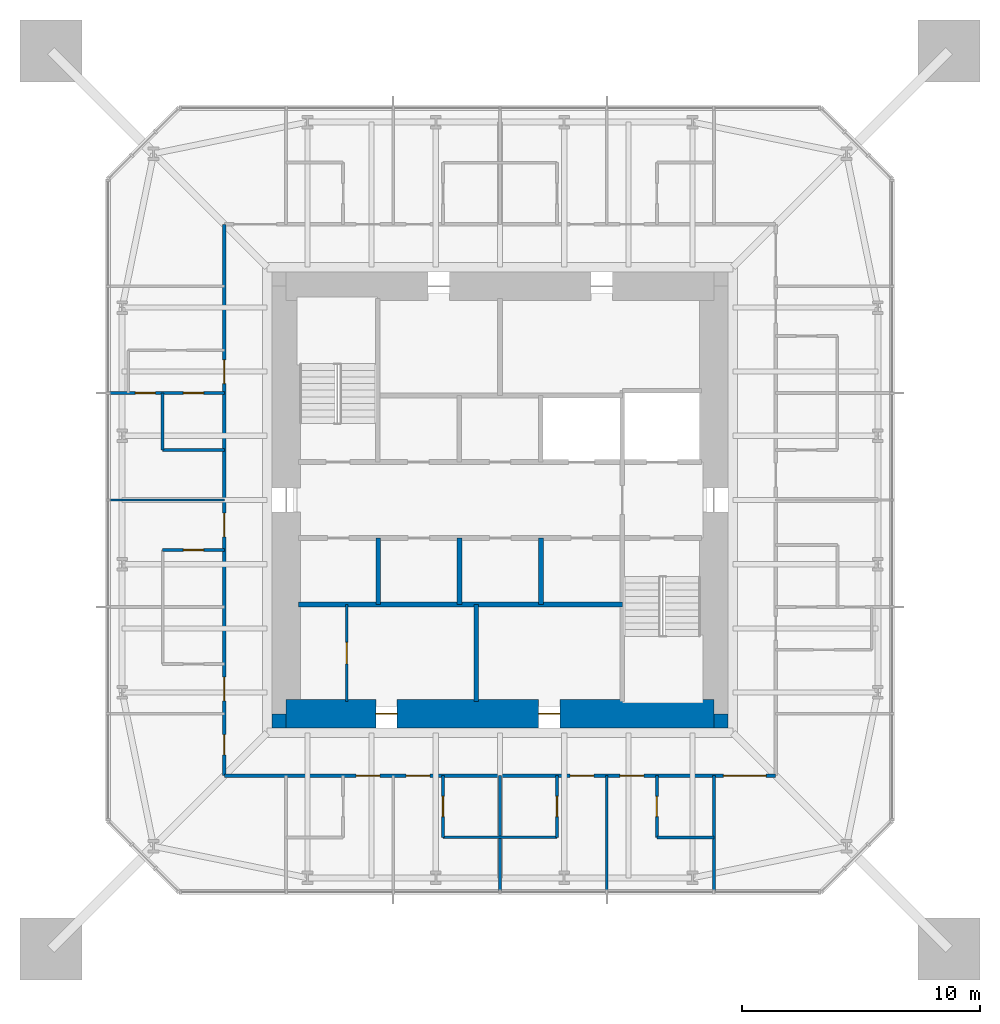
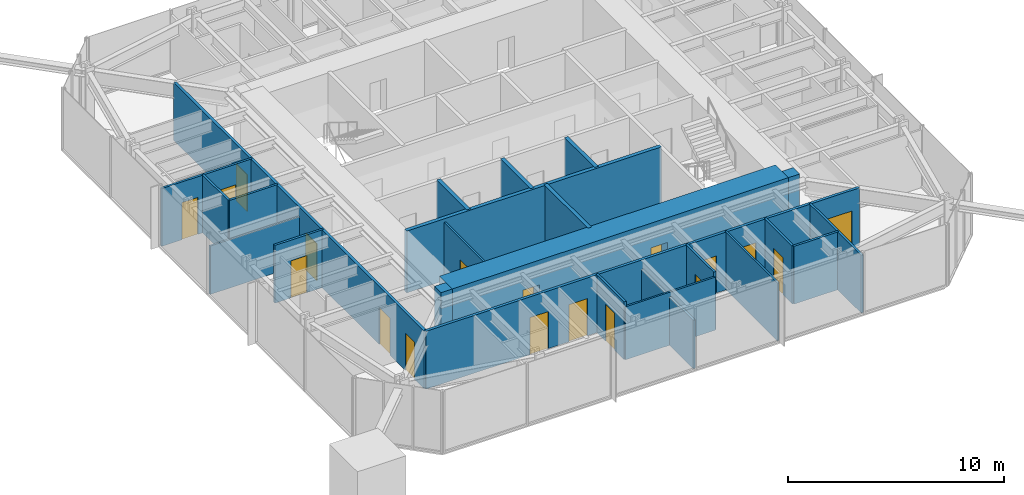
# One storey, part 6 of 10: 24 walls, 18 doors, 18 openings.
"""IFC4 building model written with IfcOpenShell, lengths in metres."""

from ifc_helpers import new_model, si_unit, direction, frame, frame_2d, origin, place, context, subcontext, project, spatial, rectangle, extrude, material, layer, layer_set, type_object, element, fill, save


model = new_model("IFC4")

# Units and contexts
model_context = context("Model", 3, precision=1e-05, world=origin(), true_north=direction((0.0, 1.0)))
body_context = subcontext(model_context, "Body", "Model", "MODEL_VIEW")
ifc_project = project(units=[si_unit("LENGTHUNIT", "METRE"), si_unit("AREAUNIT", "SQUARE_METRE"), si_unit("VOLUMEUNIT", "CUBIC_METRE"), si_unit("PLANEANGLEUNIT", "RADIAN"), si_unit("MASSUNIT", "GRAM", prefix="KILO")], contexts=[model_context])

# Site, building, storey
site_placement = place(None, origin())
site = spatial("IfcSite", under=ifc_project, at=site_placement, CompositionType="ELEMENT")
building_placement = place(site_placement, origin())
building = spatial("IfcBuilding", under=site, at=building_placement, Name="Iwan Alto Co-Living Towers", CompositionType="ELEMENT")
storey_placement = place(building_placement, frame((0.0, 0.0, 225.5)))
storey = spatial("IfcBuildingStorey", under=building, at=storey_placement, Name="L61", CompositionType="ELEMENT", Elevation=225.5)

# Wall, openings, doors
ifc_material_1 = material(Name="Gypsum board")
ifc_layer_1 = layer(ifc_material_1, 0.02490234375, Name="Board", Category="Finish")
ifc_material_2 = material(Name="Steel ASTM A1003 ST33H cold-formed studs", Category="steel")
ifc_layer_2 = layer(ifc_material_2, 0.10009765625, Name="Studs", Category="Framing")
ifc_layer_3 = layer(ifc_material_1, 0.02490234375, Name="Board", Category="Finish")
ifc_layer_set_1 = layer_set([ifc_layer_1, ifc_layer_2, ifc_layer_3], Name="CORRIDOR WALL 150")
wall_type_1 = type_object("IfcWallType", Name="CORRIDOR WALL 150", PredefinedType="PARTITIONING", material=ifc_layer_set_1)
wall_1_placement = place(storey_placement, frame((-11.60009765625, -11.60009765625, 0.0), z_axis=(0.0, 0.0, 1.0), x_axis=(1.0, 0.0, 0.0)))
wall_1 = element("IfcWall", 1, at=wall_1_placement, inside=storey, type_object=wall_type_1, Name="Partition L61", PredefinedType="PARTITIONING", context=body_context, shape_type="SweptSolid", body=[
    extrude(rectangle(XDim=23.2001953125, YDim=0.14990234375, at=frame_2d((11.60009765625, 0.0))), origin(), (0.0, 0.0, 1.0), 3.27001953125),
])
opening_1_placement = place(wall_1_placement, frame((5.550048828125, 0.0, 0.0)))
opening_1 = element("IfcOpeningElement", 2, at=opening_1_placement, cuts=wall_1, Name="Opening D3", PredefinedType="OPENING", context=body_context, shape_type="SweptSolid", body=[
    extrude(rectangle(XDim=1.0, YDim=2.10009765625, at=frame_2d((0.5, 1.050048828125))), frame((0.0, 0.0849609375, 0.0), z_axis=(0.0, -1.0, 0.0), x_axis=(1.0, 0.0, 0.0)), (0.0, 0.0, 1.0), 0.169921875),
])
opening_2_placement = place(wall_1_placement, frame((7.64990234375, 0.0, 0.0)))
opening_2 = element("IfcOpeningElement", 3, at=opening_2_placement, cuts=wall_1, Name="Opening D3", PredefinedType="OPENING", context=body_context, shape_type="SweptSolid", body=[
    extrude(rectangle(XDim=1.0, YDim=2.10009765625, at=frame_2d((0.5, 1.050048828125))), frame((0.0, 0.0849609375, 0.0), z_axis=(0.0, -1.0, 0.0), x_axis=(1.0, 0.0, 0.0)), (0.0, 0.0, 1.0), 0.169921875),
])
opening_3_placement = place(wall_1_placement, frame((14.550048828125, 0.0, 0.0)))
opening_3 = element("IfcOpeningElement", 4, at=opening_3_placement, cuts=wall_1, Name="Opening D3", PredefinedType="OPENING", context=body_context, shape_type="SweptSolid", body=[
    extrude(rectangle(XDim=1.0, YDim=2.10009765625, at=frame_2d((0.5, 1.050048828125))), frame((0.0, 0.0849609375, 0.0), z_axis=(0.0, -1.0, 0.0), x_axis=(1.0, 0.0, 0.0)), (0.0, 0.0, 1.0), 0.169921875),
])
opening_4_placement = place(wall_1_placement, frame((16.64990234375, 0.0, 0.0)))
opening_4 = element("IfcOpeningElement", 5, at=opening_4_placement, cuts=wall_1, Name="Opening D3", PredefinedType="OPENING", context=body_context, shape_type="SweptSolid", body=[
    extrude(rectangle(XDim=1.0, YDim=2.10009765625, at=frame_2d((0.5, 1.050048828125))), frame((0.0, 0.0849609375, 0.0), z_axis=(0.0, -1.0, 0.0), x_axis=(1.0, 0.0, 0.0)), (0.0, 0.0, 1.0), 0.169921875),
])
opening_5_placement = place(wall_1_placement, frame((21.0, 0.0, 0.0)))
opening_5 = element("IfcOpeningElement", 6, at=opening_5_placement, cuts=wall_1, Name="Opening D9", PredefinedType="OPENING", context=body_context, shape_type="SweptSolid", body=[
    extrude(rectangle(XDim=1.800048828125, YDim=2.10009765625, at=frame_2d((0.89990234375, 1.050048828125))), frame((0.0, 0.0849609375, 0.0), z_axis=(0.0, -1.0, 0.0), x_axis=(1.0, 0.0, 0.0)), (0.0, 0.0, 1.0), 0.169921875),
])
ifc_material_3 = material(Name="Steel frame with timber leaf", Category="steel")
door_type_1 = type_object("IfcDoorType", Name="FLAT ENTRANCE DOOR FD30S 1000X2100", OperationType="SINGLE_SWING_LEFT", PredefinedType="DOOR", material=ifc_material_3)
door_1_placement = place(opening_1_placement, frame((1.0, 0.0, 0.0), z_axis=(0.0, 0.0, 1.0), x_axis=(-1.0, 0.0, 0.0)))
door_1 = element("IfcDoor", 7, at=door_1_placement, inside=storey, type_object=door_type_1, Name="Studio door L61", OperationType="SINGLE_SWING_RIGHT", OverallHeight=2.10009765625, OverallWidth=1.0, PredefinedType="DOOR", context=body_context, shape_type="SweptSolid", body=[
    extrude(rectangle(XDim=1.0, YDim=2.10009765625, at=frame_2d((0.5, 1.050048828125))), frame((0.0, 0.02490234375, 0.0), z_axis=(0.0, -1.0, 0.0), x_axis=(1.0, 0.0, 0.0)), (0.0, 0.0, 1.0), 0.050048828125),
])
fill(opening_1, door_1)
door_2_placement = place(opening_2_placement, frame((1.0, 0.0, 0.0), z_axis=(0.0, 0.0, 1.0), x_axis=(-1.0, 0.0, 0.0)))
door_2 = element("IfcDoor", 8, at=door_2_placement, inside=storey, type_object=door_type_1, Name="Studio door L61", OperationType="SINGLE_SWING_RIGHT", OverallHeight=2.10009765625, OverallWidth=1.0, PredefinedType="DOOR", context=body_context, shape_type="SweptSolid", body=[
    extrude(rectangle(XDim=1.0, YDim=2.10009765625, at=frame_2d((0.5, 1.050048828125))), frame((0.0, 0.02490234375, 0.0), z_axis=(0.0, -1.0, 0.0), x_axis=(1.0, 0.0, 0.0)), (0.0, 0.0, 1.0), 0.050048828125),
])
fill(opening_2, door_2)
door_3_placement = place(opening_3_placement, frame((1.0, 0.0, 0.0), z_axis=(0.0, 0.0, 1.0), x_axis=(-1.0, 0.0, 0.0)))
door_3 = element("IfcDoor", 9, at=door_3_placement, inside=storey, type_object=door_type_1, Name="Studio door L61", OperationType="SINGLE_SWING_RIGHT", OverallHeight=2.10009765625, OverallWidth=1.0, PredefinedType="DOOR", context=body_context, shape_type="SweptSolid", body=[
    extrude(rectangle(XDim=1.0, YDim=2.10009765625, at=frame_2d((0.5, 1.050048828125))), frame((0.0, 0.02490234375, 0.0), z_axis=(0.0, -1.0, 0.0), x_axis=(1.0, 0.0, 0.0)), (0.0, 0.0, 1.0), 0.050048828125),
])
fill(opening_3, door_3)
door_4_placement = place(opening_4_placement, frame((1.0, 0.0, 0.0), z_axis=(0.0, 0.0, 1.0), x_axis=(-1.0, 0.0, 0.0)))
door_4 = element("IfcDoor", 10, at=door_4_placement, inside=storey, type_object=door_type_1, Name="Studio door L61", OperationType="SINGLE_SWING_RIGHT", OverallHeight=2.10009765625, OverallWidth=1.0, PredefinedType="DOOR", context=body_context, shape_type="SweptSolid", body=[
    extrude(rectangle(XDim=1.0, YDim=2.10009765625, at=frame_2d((0.5, 1.050048828125))), frame((0.0, 0.02490234375, 0.0), z_axis=(0.0, -1.0, 0.0), x_axis=(1.0, 0.0, 0.0)), (0.0, 0.0, 1.0), 0.050048828125),
])
fill(opening_4, door_4)
ifc_material_4 = material(Name="Steel frame with timber leaf", Category="steel")
door_type_2 = type_object("IfcDoorType", Name="LOUNGE DOOR FD30S 1800X2100", OperationType="DOUBLE_DOOR_SINGLE_SWING", PredefinedType="DOOR", material=ifc_material_4)
door_5_placement = place(opening_5_placement, frame((1.800048828125, 0.0, 0.0), z_axis=(0.0, 0.0, 1.0), x_axis=(-1.0, 0.0, 0.0)))
door_5 = element("IfcDoor", 11, at=door_5_placement, inside=storey, type_object=door_type_2, Name="Courtyard lounge door L61", OperationType="DOUBLE_DOOR_SINGLE_SWING", OverallHeight=2.10009765625, OverallWidth=1.800048828125, PredefinedType="DOOR", context=body_context, shape_type="SweptSolid", body=[
    extrude(rectangle(XDim=1.800048828125, YDim=2.10009765625, at=frame_2d((0.89990234375, 1.050048828125))), frame((0.0, 0.02490234375, 0.0), z_axis=(0.0, -1.0, 0.0), x_axis=(1.0, 0.0, 0.0)), (0.0, 0.0, 1.0), 0.050048828125),
])
fill(opening_5, door_5)

wall_2_placement = place(storey_placement, frame((-11.60009765625, -11.60009765625, 0.0), z_axis=(0.0, 0.0, 1.0), x_axis=(0.0, 1.0, 0.0)))
wall_2 = element("IfcWall", 12, at=wall_2_placement, inside=storey, type_object=wall_type_1, Name="Partition L61", PredefinedType="PARTITIONING", context=body_context, shape_type="SweptSolid", body=[
    extrude(rectangle(XDim=23.2001953125, YDim=0.14990234375, at=frame_2d((11.60009765625, 0.0))), origin(), (0.0, 0.0, 1.0), 3.27001953125),
])
opening_6_placement = place(wall_2_placement, frame((16.5, 0.0, 0.0)))
opening_6 = element("IfcOpeningElement", 13, at=opening_6_placement, cuts=wall_2, Name="Opening D3", PredefinedType="OPENING", context=body_context, shape_type="SweptSolid", body=[
    extrude(rectangle(XDim=1.0, YDim=2.10009765625, at=frame_2d((0.5, 1.050048828125))), frame((0.0, 0.0849609375, 0.0), z_axis=(0.0, -1.0, 0.0), x_axis=(1.0, 0.0, 0.0)), (0.0, 0.0, 1.0), 0.169921875),
])
opening_7_placement = place(wall_2_placement, frame((10.050048828125, 0.0, 0.0)))
opening_7 = element("IfcOpeningElement", 14, at=opening_7_placement, cuts=wall_2, Name="Opening D3", PredefinedType="OPENING", context=body_context, shape_type="SweptSolid", body=[
    extrude(rectangle(XDim=1.0, YDim=2.10009765625, at=frame_2d((0.5, 1.050048828125))), frame((0.0, 0.0849609375, 0.0), z_axis=(0.0, -1.0, 0.0), x_axis=(1.0, 0.0, 0.0)), (0.0, 0.0, 1.0), 0.169921875),
])
opening_8_placement = place(wall_2_placement, frame((3.14990234375, 0.0, 0.0)))
opening_8 = element("IfcOpeningElement", 15, at=opening_8_placement, cuts=wall_2, Name="Opening D3", PredefinedType="OPENING", context=body_context, shape_type="SweptSolid", body=[
    extrude(rectangle(XDim=1.0, YDim=2.10009765625, at=frame_2d((0.5, 1.050048828125))), frame((0.0, 0.0849609375, 0.0), z_axis=(0.0, -1.0, 0.0), x_axis=(1.0, 0.0, 0.0)), (0.0, 0.0, 1.0), 0.169921875),
])
opening_9_placement = place(wall_2_placement, frame((0.875, 0.0, 0.0)))
opening_9 = element("IfcOpeningElement", 16, at=opening_9_placement, cuts=wall_2, Name="Opening D2", PredefinedType="OPENING", context=body_context, shape_type="SweptSolid", body=[
    extrude(rectangle(XDim=0.85009765625, YDim=2.10009765625, at=frame_2d((0.425048828125, 1.050048828125))), frame((0.0, 0.0849609375, 0.0), z_axis=(0.0, -1.0, 0.0), x_axis=(1.0, 0.0, 0.0)), (0.0, 0.0, 1.0), 0.169921875),
])
door_6_placement = place(opening_6_placement, origin())
door_6 = element("IfcDoor", 17, at=door_6_placement, inside=storey, type_object=door_type_1, Name="Apartment foyer door L61", OperationType="SINGLE_SWING_LEFT", OverallHeight=2.10009765625, OverallWidth=1.0, PredefinedType="DOOR", context=body_context, shape_type="SweptSolid", body=[
    extrude(rectangle(XDim=1.0, YDim=2.10009765625, at=frame_2d((0.5, 1.050048828125))), frame((0.0, 0.02490234375, 0.0), z_axis=(0.0, -1.0, 0.0), x_axis=(1.0, 0.0, 0.0)), (0.0, 0.0, 1.0), 0.050048828125),
])
fill(opening_6, door_6)
door_7_placement = place(opening_7_placement, origin())
door_7 = element("IfcDoor", 18, at=door_7_placement, inside=storey, type_object=door_type_1, Name="Studio door L61", OperationType="SINGLE_SWING_LEFT", OverallHeight=2.10009765625, OverallWidth=1.0, PredefinedType="DOOR", context=body_context, shape_type="SweptSolid", body=[
    extrude(rectangle(XDim=1.0, YDim=2.10009765625, at=frame_2d((0.5, 1.050048828125))), frame((0.0, 0.02490234375, 0.0), z_axis=(0.0, -1.0, 0.0), x_axis=(1.0, 0.0, 0.0)), (0.0, 0.0, 1.0), 0.050048828125),
])
fill(opening_7, door_7)
door_8_placement = place(opening_8_placement, origin())
door_8 = element("IfcDoor", 19, at=door_8_placement, inside=storey, type_object=door_type_1, Name="Studio door L61", OperationType="SINGLE_SWING_LEFT", OverallHeight=2.10009765625, OverallWidth=1.0, PredefinedType="DOOR", context=body_context, shape_type="SweptSolid", body=[
    extrude(rectangle(XDim=1.0, YDim=2.10009765625, at=frame_2d((0.5, 1.050048828125))), frame((0.0, 0.02490234375, 0.0), z_axis=(0.0, -1.0, 0.0), x_axis=(1.0, 0.0, 0.0)), (0.0, 0.0, 1.0), 0.050048828125),
])
fill(opening_8, door_8)
ifc_material_5 = material(Name="Timber leaf in steel frame", Category="steel")
door_type_3 = type_object("IfcDoorType", Name="ROOM DOOR 850X2100", OperationType="SINGLE_SWING_LEFT", PredefinedType="DOOR", material=ifc_material_5)
door_9_placement = place(opening_9_placement, origin())
door_9 = element("IfcDoor", 20, at=door_9_placement, inside=storey, type_object=door_type_3, Name="Shared kitchen and lounge door L61", OperationType="SINGLE_SWING_RIGHT", OverallHeight=2.10009765625, OverallWidth=0.85009765625, PredefinedType="DOOR", context=body_context, shape_type="SweptSolid", body=[
    extrude(rectangle(XDim=0.85009765625, YDim=2.10009765625, at=frame_2d((0.425048828125, 1.050048828125))), frame((0.0, 0.02490234375, 0.0), z_axis=(0.0, -1.0, 0.0), x_axis=(1.0, 0.0, 0.0)), (0.0, 0.0, 1.0), 0.050048828125),
])
fill(opening_9, door_9)

# Walls
ifc_layer_4 = layer(ifc_material_1, 0.012451171875, Name="Board", Category="Finish")
ifc_layer_5 = layer(ifc_material_2, 0.074951171875, Name="Studs", Category="Framing")
ifc_layer_6 = layer(ifc_material_1, 0.012451171875, Name="Board", Category="Finish")
ifc_layer_set_2 = layer_set([ifc_layer_4, ifc_layer_5, ifc_layer_6], Name="PARTITION 100")
wall_type_2 = type_object("IfcWallType", Name="PARTITION 100", PredefinedType="PARTITIONING", material=ifc_layer_set_2)
wall_3_placement = place(storey_placement, frame((-2.39990234375, -14.199951171875, 0.0), z_axis=(0.0, 0.0, 1.0), x_axis=(1.0, 0.0, 0.0)))
element("IfcWall", 21, at=wall_3_placement, inside=storey, type_object=wall_type_2, Name="Partition L61", PredefinedType="PARTITIONING", context=body_context, shape_type="SweptSolid", body=[
    extrude(rectangle(XDim=4.7998046875, YDim=0.10009765625, at=frame_2d((2.39990234375, 0.0))), origin(), (0.0, 0.0, 1.0), 3.0),
])
wall_4_placement = place(storey_placement, frame((-16.43994140625, 0.0, 0.0), z_axis=(0.0, 0.0, 1.0), x_axis=(1.0, 0.0, 0.0)))
element("IfcWall", 22, at=wall_4_placement, inside=storey, type_object=wall_type_2, Name="Partition L61", PredefinedType="PARTITIONING", context=body_context, shape_type="SweptSolid", body=[
    extrude(rectangle(XDim=4.83984375, YDim=0.10009765625, at=frame_2d((2.419921875, 0.0))), origin(), (0.0, 0.0, 1.0), 2.736572265625),
])
wall_5_placement = place(storey_placement, frame((4.5, -16.43994140625, 0.0), z_axis=(0.0, 0.0, 1.0), x_axis=(0.0, 1.0, 0.0)))
element("IfcWall", 23, at=wall_5_placement, inside=storey, type_object=wall_type_2, Name="Partition L61", PredefinedType="PARTITIONING", context=body_context, shape_type="SweptSolid", body=[
    extrude(rectangle(XDim=4.83984375, YDim=0.10009765625, at=frame_2d((2.419921875, 0.0))), origin(), (0.0, 0.0, 1.0), 3.27001953125),
])

# Wall, opening, door
wall_6_placement = place(storey_placement, frame((-6.449951171875, -8.489990234375, 0.0), z_axis=(0.0, 0.0, 1.0), x_axis=(0.0, 1.0, 0.0)))
wall_6 = element("IfcWall", 24, at=wall_6_placement, inside=storey, type_object=wall_type_2, Name="Partition L61", PredefinedType="PARTITIONING", context=body_context, shape_type="SweptSolid", body=[
    extrude(rectangle(XDim=4.090087890625, YDim=0.10009765625, at=frame_2d((2.044921875, 0.0))), origin(), (0.0, 0.0, 1.0), 3.300048828125),
])
opening_10_placement = place(wall_6_placement, frame((1.594970703125, 0.0, 0.0)))
opening_10 = element("IfcOpeningElement", 25, at=opening_10_placement, cuts=wall_6, Name="Opening D16", PredefinedType="OPENING", context=body_context, shape_type="SweptSolid", body=[
    extrude(rectangle(XDim=0.89990234375, YDim=2.10009765625, at=frame_2d((0.449951171875, 1.050048828125))), frame((0.0, 0.06005859375, 0.0), z_axis=(0.0, -1.0, 0.0), x_axis=(1.0, 0.0, 0.0)), (0.0, 0.0, 1.0), 0.1201171875),
])
ifc_material_6 = material(Name="Timber leaf in steel frame", Category="steel")
door_type_4 = type_object("IfcDoorType", Name="CUPBOARD SLIDING DOOR 900X2100", OperationType="SLIDING_TO_LEFT", PredefinedType="DOOR", material=ifc_material_6)
door_10_placement = place(opening_10_placement, origin())
door_10 = element("IfcDoor", 26, at=door_10_placement, inside=storey, type_object=door_type_4, Name="Bin store door L61", OperationType="SLIDING_TO_LEFT", OverallHeight=2.10009765625, OverallWidth=0.89990234375, PredefinedType="DOOR", context=body_context, shape_type="SweptSolid", body=[
    extrude(rectangle(XDim=0.89990234375, YDim=2.10009765625, at=frame_2d((0.449951171875, 1.050048828125))), frame((0.0, 0.02490234375, 0.0), z_axis=(0.0, -1.0, 0.0), x_axis=(1.0, 0.0, 0.0)), (0.0, 0.0, 1.0), 0.050048828125),
])
fill(opening_10, door_10)

# Walls
ifc_material_7 = material(Name="Concrete f'c 70 MPa", Category="concrete")
ifc_layer_7 = layer(ifc_material_7, 0.199951171875)
ifc_layer_set_3 = layer_set([ifc_layer_7], Name="SHAFT WALL 200")
wall_type_3 = type_object("IfcWallType", Name="SHAFT WALL 200", PredefinedType="SOLIDWALL", material=ifc_layer_set_3)
wall_7_placement = place(storey_placement, frame((-8.489990234375, -4.39990234375, 0.0), z_axis=(0.0, 0.0, 1.0), x_axis=(1.0, 0.0, 0.0)))
element("IfcWall", 27, at=wall_7_placement, inside=storey, type_object=wall_type_3, Name="Shaft wall L61", PredefinedType="SOLIDWALL", context=body_context, shape_type="SweptSolid", body=[
    extrude(rectangle(XDim=13.639892578125, YDim=0.199951171875, at=frame_2d((6.81982421875, 0.0))), origin(), (0.0, 0.0, 1.0), 3.5),
])
wall_8_placement = place(storey_placement, frame((1.72509765625, -4.39990234375, 0.0), z_axis=(0.0, 0.0, 1.0), x_axis=(0.0, 1.0, 0.0)))
element("IfcWall", 28, at=wall_8_placement, inside=storey, type_object=wall_type_3, Name="Shaft wall L61", PredefinedType="SOLIDWALL", context=body_context, shape_type="SweptSolid", body=[
    extrude(rectangle(XDim=2.7998046875, YDim=0.199951171875, at=frame_2d((1.39990234375, 0.0))), origin(), (0.0, 0.0, 1.0), 3.5),
])
wall_9_placement = place(storey_placement, frame((-1.0, -8.489990234375, 0.0), z_axis=(0.0, 0.0, 1.0), x_axis=(0.0, 1.0, 0.0)))
element("IfcWall", 29, at=wall_9_placement, inside=storey, type_object=wall_type_3, Name="Shaft wall L61", PredefinedType="SOLIDWALL", context=body_context, shape_type="SweptSolid", body=[
    extrude(rectangle(XDim=4.090087890625, YDim=0.199951171875, at=frame_2d((2.044921875, 0.0))), origin(), (0.0, 0.0, 1.0), 3.5),
])
for number, where, z_axis, x_axis, name in (
    (30, (-1.699951171875, -4.39990234375, 0.0), (0.0, 0.0, 1.0), (0.0, 1.0, 0.0), "Shaft wall L61"),
    (31, (-5.125, -4.39990234375, 0.0), (0.0, 0.0, 1.0), (0.0, 1.0, 0.0), "Shaft wall L61"),
):
    element("IfcWall", number, at=place(storey_placement, frame(where, z_axis=z_axis, x_axis=x_axis)), inside=storey, type_object=wall_type_3, Name=name, PredefinedType="SOLIDWALL", context=body_context, shape_type="SweptSolid", body=[
        extrude(rectangle(XDim=2.7998046875, YDim=0.199951171875, at=frame_2d((1.39990234375, 0.0))), origin(), (0.0, 0.0, 1.0), 3.5),
    ])
ifc_material_8 = material(Name="Concrete f'c 70 MPa", Category="concrete")
ifc_layer_8 = layer(ifc_material_8, 0.60009765625)
ifc_layer_set_4 = layer_set([ifc_layer_8], Name="T1 CORE CORNER FILL 600")
wall_type_4 = type_object("IfcWallType", Name="T1 CORE CORNER FILL 600", PredefinedType="SOLIDWALL", material=ifc_layer_set_4)
for number, where, z_axis, x_axis, name in (
    (32, (-9.60009765625, -9.300048828125, 0.0), (0.0, 0.0, 1.0), (1.0, 0.0, 0.0), "T1 core corner SW L61"),
    (33, (9.0, -9.300048828125, 0.0), (0.0, 0.0, 1.0), (1.0, 0.0, 0.0), "T1 core corner SE L61"),
):
    element("IfcWall", number, at=place(storey_placement, frame(where, z_axis=z_axis, x_axis=x_axis)), inside=storey, type_object=wall_type_4, Name=name, PredefinedType="SOLIDWALL", context=body_context, shape_type="SweptSolid", body=[
        extrude(rectangle(XDim=0.60009765625, YDim=0.60009765625, at=frame_2d((0.300048828125, 0.0))), origin(), (0.0, 0.0, 1.0), 3.5),
    ])

# Wall, openings, doors
ifc_material_9 = material(Name="Concrete f'c 70 MPa", Category="concrete")
ifc_layer_9 = layer(ifc_material_9, 1.199951171875)
ifc_layer_set_5 = layer_set([ifc_layer_9], Name="T1 CORE WALL 1200")
wall_type_5 = type_object("IfcWallType", Name="T1 CORE WALL 1200", PredefinedType="SHEAR", material=ifc_layer_set_5)
wall_10_placement = place(storey_placement, frame((-9.0, -9.0, 0.0), z_axis=(0.0, 0.0, 1.0), x_axis=(1.0, 0.0, 0.0)))
wall_10 = element("IfcWall", 34, at=wall_10_placement, inside=storey, type_object=wall_type_5, Name="T1 core wall S L61", PredefinedType="SHEAR", context=body_context, shape_type="SweptSolid", body=[
    extrude(rectangle(XDim=18.0, YDim=1.199951171875, at=frame_2d((9.0, 0.0))), origin(), (0.0, 0.0, 1.0), 3.5),
])
opening_11_placement = place(wall_10_placement, frame((3.77490234375, 0.0, 0.0)))
opening_11 = element("IfcOpeningElement", 35, at=opening_11_placement, cuts=wall_10, Name="Opening D8", PredefinedType="OPENING", context=body_context, shape_type="SweptSolid", body=[
    extrude(rectangle(XDim=0.89990234375, YDim=2.10009765625, at=frame_2d((0.449951171875, 1.050048828125))), frame((0.0, 0.60986328125, 0.0), z_axis=(0.0, -1.0, 0.0), x_axis=(1.0, 0.0, 0.0)), (0.0, 0.0, 1.0), 1.219970703125),
])
opening_12_placement = place(wall_10_placement, frame((10.625, 0.0, 0.0)))
opening_12 = element("IfcOpeningElement", 36, at=opening_12_placement, cuts=wall_10, Name="Opening D8", PredefinedType="OPENING", context=body_context, shape_type="SweptSolid", body=[
    extrude(rectangle(XDim=0.89990234375, YDim=2.10009765625, at=frame_2d((0.449951171875, 1.050048828125))), frame((0.0, 0.60986328125, 0.0), z_axis=(0.0, -1.0, 0.0), x_axis=(1.0, 0.0, 0.0)), (0.0, 0.0, 1.0), 1.219970703125),
])
ifc_material_10 = material(Name="Steel frame with timber leaf", Category="steel")
door_type_5 = type_object("IfcDoorType", Name="RISER DOOR FD120 900X2100", OperationType="SINGLE_SWING_LEFT", PredefinedType="DOOR", material=ifc_material_10)
door_11_placement = place(opening_11_placement, origin())
door_11 = element("IfcDoor", 37, at=door_11_placement, inside=storey, type_object=door_type_5, Name="Refuse room core door L61", OperationType="SINGLE_SWING_LEFT", OverallHeight=2.10009765625, OverallWidth=0.89990234375, PredefinedType="DOOR", context=body_context, shape_type="SweptSolid", body=[
    extrude(rectangle(XDim=0.89990234375, YDim=2.10009765625, at=frame_2d((0.449951171875, 1.050048828125))), frame((0.0, 0.02490234375, 0.0), z_axis=(0.0, -1.0, 0.0), x_axis=(1.0, 0.0, 0.0)), (0.0, 0.0, 1.0), 0.050048828125),
])
fill(opening_11, door_11)
door_12_placement = place(opening_12_placement, origin())
door_12 = element("IfcDoor", 38, at=door_12_placement, inside=storey, type_object=door_type_5, Name="Telecom riser core door L61", OperationType="SINGLE_SWING_LEFT", OverallHeight=2.10009765625, OverallWidth=0.89990234375, PredefinedType="DOOR", context=body_context, shape_type="SweptSolid", body=[
    extrude(rectangle(XDim=0.89990234375, YDim=2.10009765625, at=frame_2d((0.449951171875, 1.050048828125))), frame((0.0, 0.02490234375, 0.0), z_axis=(0.0, -1.0, 0.0), x_axis=(1.0, 0.0, 0.0)), (0.0, 0.0, 1.0), 0.050048828125),
])
fill(opening_12, door_12)

# Wall
ifc_material_11 = material(Name="Cement board")
ifc_layer_10 = layer(ifc_material_11, 0.012451171875, Name="Board", Category="Finish")
ifc_layer_11 = layer(ifc_material_2, 0.094970703125, Name="Studs", Category="Framing")
ifc_layer_12 = layer(ifc_material_11, 0.012451171875, Name="Board", Category="Finish")
ifc_layer_set_6 = layer_set([ifc_layer_10, ifc_layer_11, ifc_layer_12], Name="WET AREA PARTITION 120")
wall_type_6 = type_object("IfcWallType", Name="WET AREA PARTITION 120", PredefinedType="PARTITIONING", material=ifc_layer_set_6)
wall_11_placement = place(storey_placement, frame((6.60009765625, -14.199951171875, 0.0), z_axis=(0.0, 0.0, 1.0), x_axis=(1.0, 0.0, 0.0)))
element("IfcWall", 39, at=wall_11_placement, inside=storey, type_object=wall_type_6, Name="Partition L61", PredefinedType="PARTITIONING", context=body_context, shape_type="SweptSolid", body=[
    extrude(rectangle(XDim=2.39990234375, YDim=0.1201171875, at=frame_2d((1.199951171875, 0.0))), origin(), (0.0, 0.0, 1.0), 3.27001953125),
])

# Wall, opening, door
wall_12_placement = place(storey_placement, frame((-14.199951171875, -2.10009765625, 0.0), z_axis=(0.0, 0.0, 1.0), x_axis=(1.0, 0.0, 0.0)))
wall_12 = element("IfcWall", 40, at=wall_12_placement, inside=storey, type_object=wall_type_6, Name="Partition L61", PredefinedType="PARTITIONING", context=body_context, shape_type="SweptSolid", body=[
    extrude(rectangle(XDim=2.599853515625, YDim=0.1201171875, at=frame_2d((1.2998046875, 0.0))), origin(), (0.0, 0.0, 1.0), 3.27001953125),
])
opening_13_placement = place(wall_12_placement, frame((0.875, 0.0, 0.0)))
opening_13 = element("IfcOpeningElement", 41, at=opening_13_placement, cuts=wall_12, Name="Opening D2", PredefinedType="OPENING", context=body_context, shape_type="SweptSolid", body=[
    extrude(rectangle(XDim=0.85009765625, YDim=2.10009765625, at=frame_2d((0.425048828125, 1.050048828125))), frame((0.0, 0.070068359375, 0.0), z_axis=(0.0, -1.0, 0.0), x_axis=(1.0, 0.0, 0.0)), (0.0, 0.0, 1.0), 0.14013671875),
])
door_13_placement = place(opening_13_placement, origin())
door_13 = element("IfcDoor", 42, at=door_13_placement, inside=storey, type_object=door_type_3, Name="En-suite shower room door L61", OperationType="SINGLE_SWING_RIGHT", OverallHeight=2.10009765625, OverallWidth=0.85009765625, PredefinedType="DOOR", context=body_context, shape_type="SweptSolid", body=[
    extrude(rectangle(XDim=0.85009765625, YDim=2.10009765625, at=frame_2d((0.425048828125, 1.050048828125))), frame((0.0, 0.02490234375, 0.0), z_axis=(0.0, -1.0, 0.0), x_axis=(1.0, 0.0, 0.0)), (0.0, 0.0, 1.0), 0.050048828125),
])
fill(opening_13, door_13)

# Wall
wall_13_placement = place(storey_placement, frame((-14.199951171875, 2.10009765625, 0.0), z_axis=(0.0, 0.0, 1.0), x_axis=(1.0, 0.0, 0.0)))
element("IfcWall", 43, at=wall_13_placement, inside=storey, type_object=wall_type_6, Name="Partition L61", PredefinedType="PARTITIONING", context=body_context, shape_type="SweptSolid", body=[
    extrude(rectangle(XDim=2.599853515625, YDim=0.1201171875, at=frame_2d((1.2998046875, 0.0))), origin(), (0.0, 0.0, 1.0), 3.27001953125),
])

# Wall, openings, doors
wall_14_placement = place(storey_placement, frame((-16.43994140625, 4.5, 0.0), z_axis=(0.0, 0.0, 1.0), x_axis=(1.0, 0.0, 0.0)))
wall_14 = element("IfcWall", 44, at=wall_14_placement, inside=storey, type_object=wall_type_6, Name="Partition L61", PredefinedType="PARTITIONING", context=body_context, shape_type="SweptSolid", body=[
    extrude(rectangle(XDim=4.83984375, YDim=0.1201171875, at=frame_2d((2.419921875, 0.0))), origin(), (0.0, 0.0, 1.0), 3.27001953125),
])
opening_14_placement = place(wall_14_placement, frame((1.090087890625, 0.0, 0.0)))
opening_14 = element("IfcOpeningElement", 45, at=opening_14_placement, cuts=wall_14, Name="Opening D2", PredefinedType="OPENING", context=body_context, shape_type="SweptSolid", body=[
    extrude(rectangle(XDim=0.85009765625, YDim=2.10009765625, at=frame_2d((0.425048828125, 1.050048828125))), frame((0.0, 0.070068359375, 0.0), z_axis=(0.0, -1.0, 0.0), x_axis=(1.0, 0.0, 0.0)), (0.0, 0.0, 1.0), 0.14013671875),
])
opening_15_placement = place(wall_14_placement, frame((3.114990234375, 0.0, 0.0)))
opening_15 = element("IfcOpeningElement", 46, at=opening_15_placement, cuts=wall_14, Name="Opening D2", PredefinedType="OPENING", context=body_context, shape_type="SweptSolid", body=[
    extrude(rectangle(XDim=0.85009765625, YDim=2.10009765625, at=frame_2d((0.425048828125, 1.050048828125))), frame((0.0, 0.070068359375, 0.0), z_axis=(0.0, -1.0, 0.0), x_axis=(1.0, 0.0, 0.0)), (0.0, 0.0, 1.0), 0.14013671875),
])
door_14_placement = place(opening_14_placement, frame((0.85009765625, 0.0, 0.0), z_axis=(0.0, 0.0, 1.0), x_axis=(-1.0, 0.0, 0.0)))
door_14 = element("IfcDoor", 47, at=door_14_placement, inside=storey, type_object=door_type_3, Name="Bedroom door L61", OperationType="SINGLE_SWING_LEFT", OverallHeight=2.10009765625, OverallWidth=0.85009765625, PredefinedType="DOOR", context=body_context, shape_type="SweptSolid", body=[
    extrude(rectangle(XDim=0.85009765625, YDim=2.10009765625, at=frame_2d((0.425048828125, 1.050048828125))), frame((0.0, 0.02490234375, 0.0), z_axis=(0.0, -1.0, 0.0), x_axis=(1.0, 0.0, 0.0)), (0.0, 0.0, 1.0), 0.050048828125),
])
fill(opening_14, door_14)
door_15_placement = place(opening_15_placement, frame((0.85009765625, 0.0, 0.0), z_axis=(0.0, 0.0, 1.0), x_axis=(-1.0, 0.0, 0.0)))
door_15 = element("IfcDoor", 48, at=door_15_placement, inside=storey, type_object=door_type_3, Name="Bathroom door L61", OperationType="SINGLE_SWING_RIGHT", OverallHeight=2.10009765625, OverallWidth=0.85009765625, PredefinedType="DOOR", context=body_context, shape_type="SweptSolid", body=[
    extrude(rectangle(XDim=0.85009765625, YDim=2.10009765625, at=frame_2d((0.425048828125, 1.050048828125))), frame((0.0, 0.02490234375, 0.0), z_axis=(0.0, -1.0, 0.0), x_axis=(1.0, 0.0, 0.0)), (0.0, 0.0, 1.0), 0.050048828125),
])
fill(opening_15, door_15)

# Wall
wall_15_placement = place(storey_placement, frame((9.0, -16.43994140625, 0.0), z_axis=(0.0, 0.0, 1.0), x_axis=(0.0, 1.0, 0.0)))
element("IfcWall", 49, at=wall_15_placement, inside=storey, type_object=wall_type_6, Name="Partition L61", PredefinedType="PARTITIONING", context=body_context, shape_type="SweptSolid", body=[
    extrude(rectangle(XDim=4.83984375, YDim=0.1201171875, at=frame_2d((2.419921875, 0.0))), origin(), (0.0, 0.0, 1.0), 3.27001953125),
])

# Wall, opening, door
wall_16_placement = place(storey_placement, frame((6.60009765625, -14.199951171875, 0.0), z_axis=(0.0, 0.0, 1.0), x_axis=(0.0, 1.0, 0.0)))
wall_16 = element("IfcWall", 50, at=wall_16_placement, inside=storey, type_object=wall_type_6, Name="Partition L61", PredefinedType="PARTITIONING", context=body_context, shape_type="SweptSolid", body=[
    extrude(rectangle(XDim=2.599853515625, YDim=0.1201171875, at=frame_2d((1.2998046875, 0.0))), origin(), (0.0, 0.0, 1.0), 3.27001953125),
])
opening_16_placement = place(wall_16_placement, frame((0.875, 0.0, 0.0)))
opening_16 = element("IfcOpeningElement", 51, at=opening_16_placement, cuts=wall_16, Name="Opening D2", PredefinedType="OPENING", context=body_context, shape_type="SweptSolid", body=[
    extrude(rectangle(XDim=0.85009765625, YDim=2.10009765625, at=frame_2d((0.425048828125, 1.050048828125))), frame((0.0, 0.070068359375, 0.0), z_axis=(0.0, -1.0, 0.0), x_axis=(1.0, 0.0, 0.0)), (0.0, 0.0, 1.0), 0.14013671875),
])
door_16_placement = place(opening_16_placement, origin())
door_16 = element("IfcDoor", 52, at=door_16_placement, inside=storey, type_object=door_type_3, Name="En-suite shower room door L61", OperationType="SINGLE_SWING_RIGHT", OverallHeight=2.10009765625, OverallWidth=0.85009765625, PredefinedType="DOOR", context=body_context, shape_type="SweptSolid", body=[
    extrude(rectangle(XDim=0.85009765625, YDim=2.10009765625, at=frame_2d((0.425048828125, 1.050048828125))), frame((0.0, 0.02490234375, 0.0), z_axis=(0.0, -1.0, 0.0), x_axis=(1.0, 0.0, 0.0)), (0.0, 0.0, 1.0), 0.050048828125),
])
fill(opening_16, door_16)

wall_17_placement = place(storey_placement, frame((2.39990234375, -14.199951171875, 0.0), z_axis=(0.0, 0.0, 1.0), x_axis=(0.0, 1.0, 0.0)))
wall_17 = element("IfcWall", 53, at=wall_17_placement, inside=storey, type_object=wall_type_6, Name="Partition L61", PredefinedType="PARTITIONING", context=body_context, shape_type="SweptSolid", body=[
    extrude(rectangle(XDim=2.599853515625, YDim=0.1201171875, at=frame_2d((1.2998046875, 0.0))), origin(), (0.0, 0.0, 1.0), 3.27001953125),
])
opening_17_placement = place(wall_17_placement, frame((0.875, 0.0, 0.0)))
opening_17 = element("IfcOpeningElement", 54, at=opening_17_placement, cuts=wall_17, Name="Opening D2", PredefinedType="OPENING", context=body_context, shape_type="SweptSolid", body=[
    extrude(rectangle(XDim=0.85009765625, YDim=2.10009765625, at=frame_2d((0.425048828125, 1.050048828125))), frame((0.0, 0.070068359375, 0.0), z_axis=(0.0, -1.0, 0.0), x_axis=(1.0, 0.0, 0.0)), (0.0, 0.0, 1.0), 0.14013671875),
])
door_17_placement = place(opening_17_placement, frame((0.85009765625, 0.0, 0.0), z_axis=(0.0, 0.0, 1.0), x_axis=(-1.0, 0.0, 0.0)))
door_17 = element("IfcDoor", 55, at=door_17_placement, inside=storey, type_object=door_type_3, Name="En-suite shower room door L61", OperationType="SINGLE_SWING_LEFT", OverallHeight=2.10009765625, OverallWidth=0.85009765625, PredefinedType="DOOR", context=body_context, shape_type="SweptSolid", body=[
    extrude(rectangle(XDim=0.85009765625, YDim=2.10009765625, at=frame_2d((0.425048828125, 1.050048828125))), frame((0.0, 0.02490234375, 0.0), z_axis=(0.0, -1.0, 0.0), x_axis=(1.0, 0.0, 0.0)), (0.0, 0.0, 1.0), 0.050048828125),
])
fill(opening_17, door_17)

# Wall
wall_18_placement = place(storey_placement, frame((0.0, -16.43994140625, 0.0), z_axis=(0.0, 0.0, 1.0), x_axis=(0.0, 1.0, 0.0)))
element("IfcWall", 56, at=wall_18_placement, inside=storey, type_object=wall_type_6, Name="Partition L61", PredefinedType="PARTITIONING", context=body_context, shape_type="SweptSolid", body=[
    extrude(rectangle(XDim=4.83984375, YDim=0.1201171875, at=frame_2d((2.419921875, 0.0))), origin(), (0.0, 0.0, 1.0), 2.736572265625),
])

# Wall, opening, door
wall_19_placement = place(storey_placement, frame((-2.39990234375, -14.199951171875, 0.0), z_axis=(0.0, 0.0, 1.0), x_axis=(0.0, 1.0, 0.0)))
wall_19 = element("IfcWall", 57, at=wall_19_placement, inside=storey, type_object=wall_type_6, Name="Partition L61", PredefinedType="PARTITIONING", context=body_context, shape_type="SweptSolid", body=[
    extrude(rectangle(XDim=2.599853515625, YDim=0.1201171875, at=frame_2d((1.2998046875, 0.0))), origin(), (0.0, 0.0, 1.0), 3.27001953125),
])
opening_18_placement = place(wall_19_placement, frame((0.875, 0.0, 0.0)))
opening_18 = element("IfcOpeningElement", 58, at=opening_18_placement, cuts=wall_19, Name="Opening D2", PredefinedType="OPENING", context=body_context, shape_type="SweptSolid", body=[
    extrude(rectangle(XDim=0.85009765625, YDim=2.10009765625, at=frame_2d((0.425048828125, 1.050048828125))), frame((0.0, 0.070068359375, 0.0), z_axis=(0.0, -1.0, 0.0), x_axis=(1.0, 0.0, 0.0)), (0.0, 0.0, 1.0), 0.14013671875),
])
door_18_placement = place(opening_18_placement, origin())
door_18 = element("IfcDoor", 59, at=door_18_placement, inside=storey, type_object=door_type_3, Name="En-suite shower room door L61", OperationType="SINGLE_SWING_RIGHT", OverallHeight=2.10009765625, OverallWidth=0.85009765625, PredefinedType="DOOR", context=body_context, shape_type="SweptSolid", body=[
    extrude(rectangle(XDim=0.85009765625, YDim=2.10009765625, at=frame_2d((0.425048828125, 1.050048828125))), frame((0.0, 0.02490234375, 0.0), z_axis=(0.0, -1.0, 0.0), x_axis=(1.0, 0.0, 0.0)), (0.0, 0.0, 1.0), 0.050048828125),
])
fill(opening_18, door_18)

# Wall
wall_20_placement = place(storey_placement, frame((-14.199951171875, 2.10009765625, 0.0), z_axis=(0.0, 0.0, 1.0), x_axis=(0.0, 1.0, 0.0)))
element("IfcWall", 60, at=wall_20_placement, inside=storey, type_object=wall_type_6, Name="Partition L61", PredefinedType="PARTITIONING", context=body_context, shape_type="SweptSolid", body=[
    extrude(rectangle(XDim=2.39990234375, YDim=0.1201171875, at=frame_2d((1.199951171875, 0.0))), origin(), (0.0, 0.0, 1.0), 3.27001953125),
])

save(model, "model.ifc")
